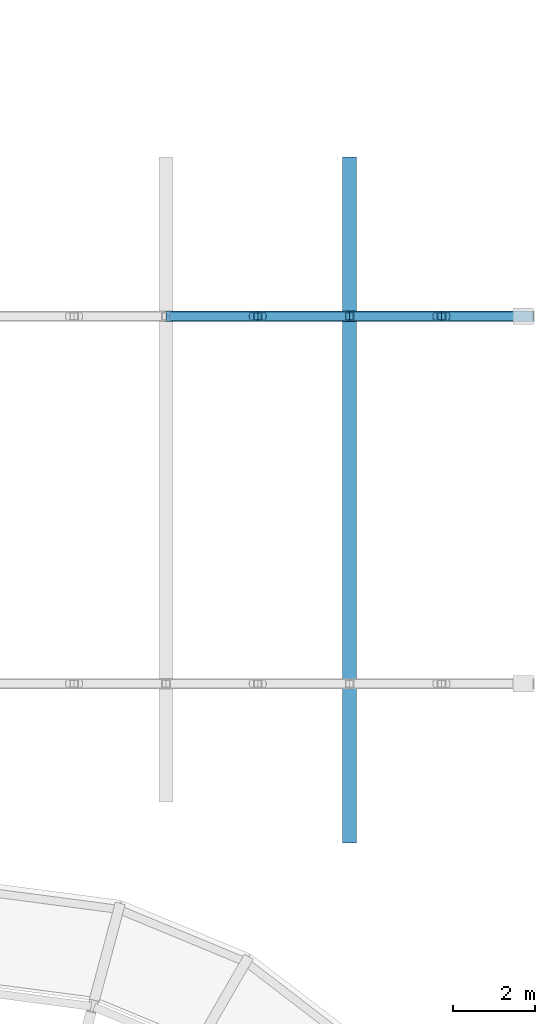
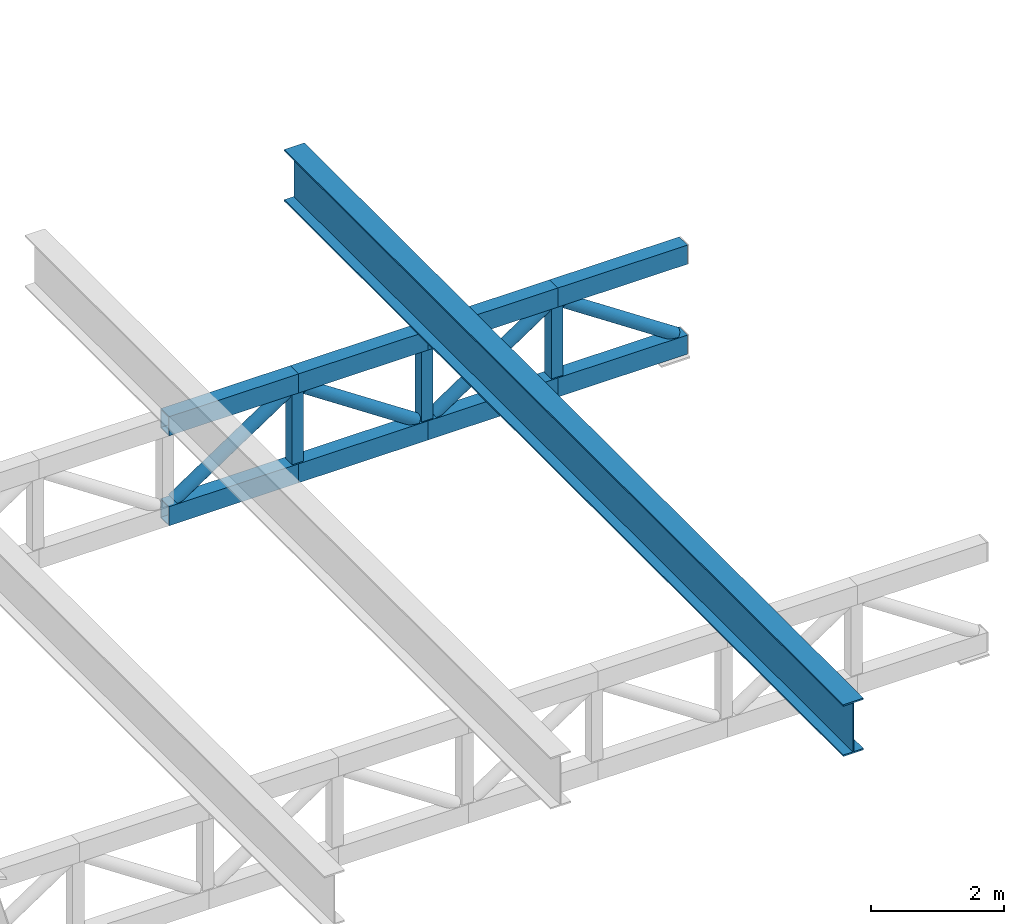
# One storey, part 6 of 20: 15 members, 1 beam.
"""IFC4 building model written with IfcOpenShell, lengths in metres."""

from ifc_helpers import new_model, si_unit, direction, frame, origin, origin_2d, place, context, subcontext, project, spatial, hollow_rectangle, hollow_circle, i_section, extrude, material, material_profile, profile_set, type_object, element, save


model = new_model("IFC4")

# Units and contexts
model_context = context("Model", 3, precision=1e-05, world=origin(), true_north=direction((0.0, 1.0)))
body_context = subcontext(model_context, "Body", "Model", "MODEL_VIEW")
ifc_project = project(units=[si_unit("LENGTHUNIT", "METRE"), si_unit("AREAUNIT", "SQUARE_METRE"), si_unit("VOLUMEUNIT", "CUBIC_METRE"), si_unit("PLANEANGLEUNIT", "RADIAN"), si_unit("MASSUNIT", "GRAM", prefix="KILO")], contexts=[model_context])

# Site, building, storey
site_placement = place(None, origin())
site = spatial("IfcSite", under=ifc_project, at=site_placement, CompositionType="ELEMENT")
building_placement = place(site_placement, origin())
building = spatial("IfcBuilding", under=site, at=building_placement, Name="Firuza Court", CompositionType="ELEMENT")
storey_placement = place(building_placement, frame((0.0, 0.0, 29.0)))
storey = spatial("IfcBuildingStorey", under=building, at=storey_placement, Name="L05", CompositionType="ELEMENT", Elevation=29.0)

# Members
ifc_material_1 = material(Name="Steel S355", Category="steel")
ifc_material_profile_1 = material_profile(ifc_material_1, hollow_rectangle(XDim=0.199951171875, YDim=0.199951171875, WallThickness=0.010009765625, at=origin_2d()), Name="RHS 200X200X10")
ifc_profile_set_1 = profile_set([ifc_material_profile_1], Name="Steel S355")
member_type_1 = type_object("IfcMemberType", Name="STEEL BOX 200X200X10", PredefinedType="BRACE", material=ifc_profile_set_1)
for number, where, z_axis, x_axis, name in (
    (1, (128.25, 40.5, 1.35009765625), (0.0, 0.0, 1.0), (1.0, 0.0, 0.0), "Truss 2 post 9"),
    (2, (130.5, 40.5, 1.35009765625), (0.0, 0.0, 1.0), (1.0, 0.0, 0.0), "Truss 2 post 10"),
    (3, (132.75, 40.5, 1.35009765625), (0.0, 0.0, 1.0), (1.0, 0.0, 0.0), "Truss 2 post 11"),
):
    element("IfcMember", number, at=place(storey_placement, frame(where, z_axis=z_axis, x_axis=x_axis)), inside=storey, type_object=member_type_1, Name=name, PredefinedType="POST", context=body_context, shape_type="SweptSolid", body=[
        extrude(hollow_rectangle(XDim=0.199951171875, YDim=0.199951171875, WallThickness=0.010009765625, at=origin_2d()), origin(), (0.0, 0.0, 1.0), 1.2998046875),
    ])
ifc_material_2 = material(Name="Steel S355", Category="steel")
ifc_material_profile_2 = material_profile(ifc_material_2, hollow_rectangle(XDim=0.25, YDim=0.35009765625, WallThickness=0.01611328125, at=origin_2d()), Name="RHS 350X250X16")
ifc_profile_set_2 = profile_set([ifc_material_profile_2], Name="Steel S355")
member_type_2 = type_object("IfcMemberType", Name="STEEL BOX 350X250X16", PredefinedType="BRACE", material=ifc_profile_set_2)
for number, where, z_axis, x_axis, name in (
    (4, (126.0, 40.5, 1.175048828125), (1.0, 0.0, 0.0), (0.0, 1.0, 0.0), "Truss 2 bottom chord 9"),
    (5, (126.0, 40.5, 2.824951171875), (1.0, 0.0, 0.0), (0.0, 1.0, 0.0), "Truss 2 top chord 9"),
    (6, (128.25, 40.5, 1.175048828125), (1.0, 0.0, 0.0), (0.0, 1.0, 0.0), "Truss 2 bottom chord 10"),
    (7, (128.25, 40.5, 2.824951171875), (1.0, 0.0, 0.0), (0.0, 1.0, 0.0), "Truss 2 top chord 10"),
    (8, (130.5, 40.5, 1.175048828125), (1.0, 0.0, 0.0), (0.0, 1.0, 0.0), "Truss 2 bottom chord 11"),
    (9, (130.5, 40.5, 2.824951171875), (1.0, 0.0, 0.0), (0.0, 1.0, 0.0), "Truss 2 top chord 11"),
    (10, (132.75, 40.5, 1.175048828125), (1.0, 0.0, 0.0), (0.0, 1.0, 0.0), "Truss 2 bottom chord 12"),
    (11, (132.75, 40.5, 2.824951171875), (1.0, 0.0, 0.0), (0.0, 1.0, 0.0), "Truss 2 top chord 12"),
):
    element("IfcMember", number, at=place(storey_placement, frame(where, z_axis=z_axis, x_axis=x_axis)), inside=storey, type_object=member_type_2, Name=name, PredefinedType="CHORD", context=body_context, shape_type="SweptSolid", body=[
        extrude(hollow_rectangle(XDim=0.25, YDim=0.35009765625, WallThickness=0.01611328125, at=origin_2d()), origin(), (0.0, 0.0, 1.0), 2.25),
    ])

# Beam
ifc_material_3 = material(Name="Steel S355", Category="steel")
ifc_material_profile_3 = material_profile(ifc_material_3, i_section(OverallWidth=0.35009765625, OverallDepth=0.949951171875, WebThickness=0.01611328125, FlangeThickness=0.028076171875, at=origin_2d()), Name="I 950X350")
ifc_profile_set_3 = profile_set([ifc_material_profile_3], Name="Steel S355")
beam_type = type_object("IfcBeamType", Name="STEEL ROOF GIRDER 950", PredefinedType="BEAM", material=ifc_profile_set_3)
beam_placement = place(storey_placement, frame((130.5, 27.60009765625, 3.47509765625), z_axis=(0.0, 1.0, 0.0), x_axis=(-1.0, 0.0, 0.0)))
element("IfcBeam", 12, at=beam_placement, inside=storey, type_object=beam_type, Name="Roof girder 5", PredefinedType="BEAM", context=body_context, shape_type="SweptSolid", body=[
    extrude(i_section(OverallWidth=0.35009765625, OverallDepth=0.949951171875, WebThickness=0.01611328125, FlangeThickness=0.028076171875, at=origin_2d()), origin(), (0.0, 0.0, 1.0), 16.7998046875),
])

# Members
ifc_material_4 = material(Name="Steel S355", Category="steel")
ifc_material_profile_4 = material_profile(ifc_material_4, hollow_circle(Radius=0.109619140625, WallThickness=0.010009765625, at=origin_2d()), Name="CHS 219X10")
ifc_profile_set_4 = profile_set([ifc_material_profile_4], Name="Steel S355")
member_type_3 = type_object("IfcMemberType", Name="STEEL TUBE 219X10", PredefinedType="BRACE", material=ifc_profile_set_4)
for number, where, z_axis, x_axis, name in (
    (13, (126.14990234375, 40.5, 1.35009765625), (0.832114393738, 0.0, 0.554604035086), (0.0, 1.0, 0.0), "Truss 2 diagonal 9"),
    (14, (128.39990234375, 40.5, 2.64990234375), (0.832114393738, 0.0, -0.554604035086), (0.0, 1.0, 0.0), "Truss 2 diagonal 10"),
    (15, (130.64990234375, 40.5, 1.35009765625), (0.832114393738, 0.0, 0.554604035086), (0.0, 1.0, 0.0), "Truss 2 diagonal 11"),
    (16, (132.89990234375, 40.5, 2.64990234375), (0.832114393738, 0.0, -0.554604035086), (0.0, 1.0, 0.0), "Truss 2 diagonal 12"),
):
    element("IfcMember", number, at=place(storey_placement, frame(where, z_axis=z_axis, x_axis=x_axis)), inside=storey, type_object=member_type_3, Name=name, PredefinedType="BRACE", context=body_context, shape_type="SweptSolid", body=[
        extrude(hollow_circle(Radius=0.109619140625, WallThickness=0.010009765625, at=origin_2d()), origin(), (0.0, 0.0, 1.0), 2.34375),
    ])

save(model, "model.ifc")
